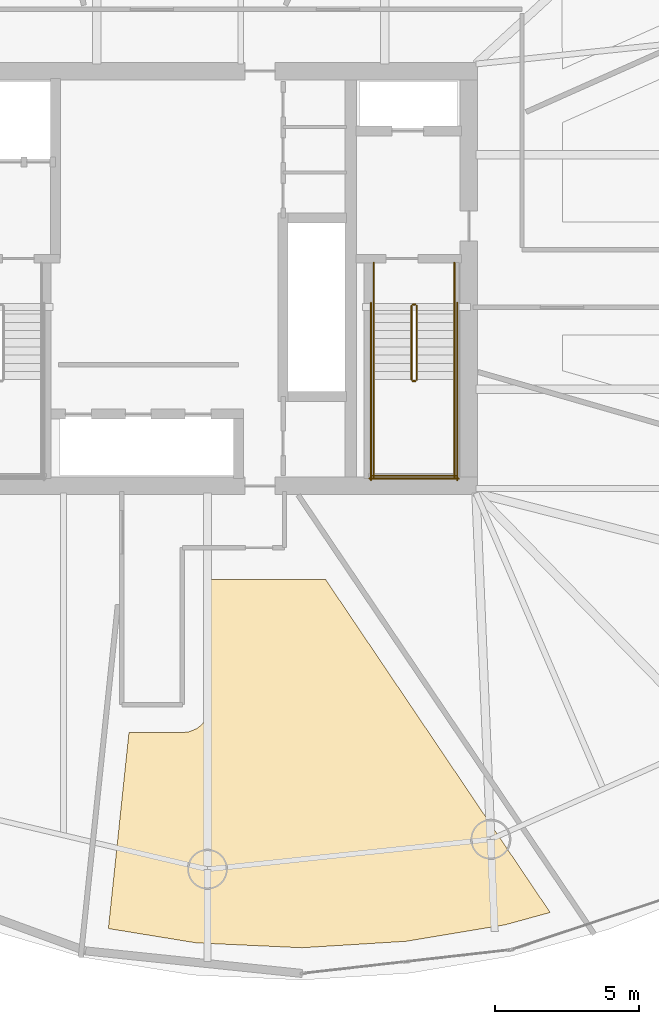
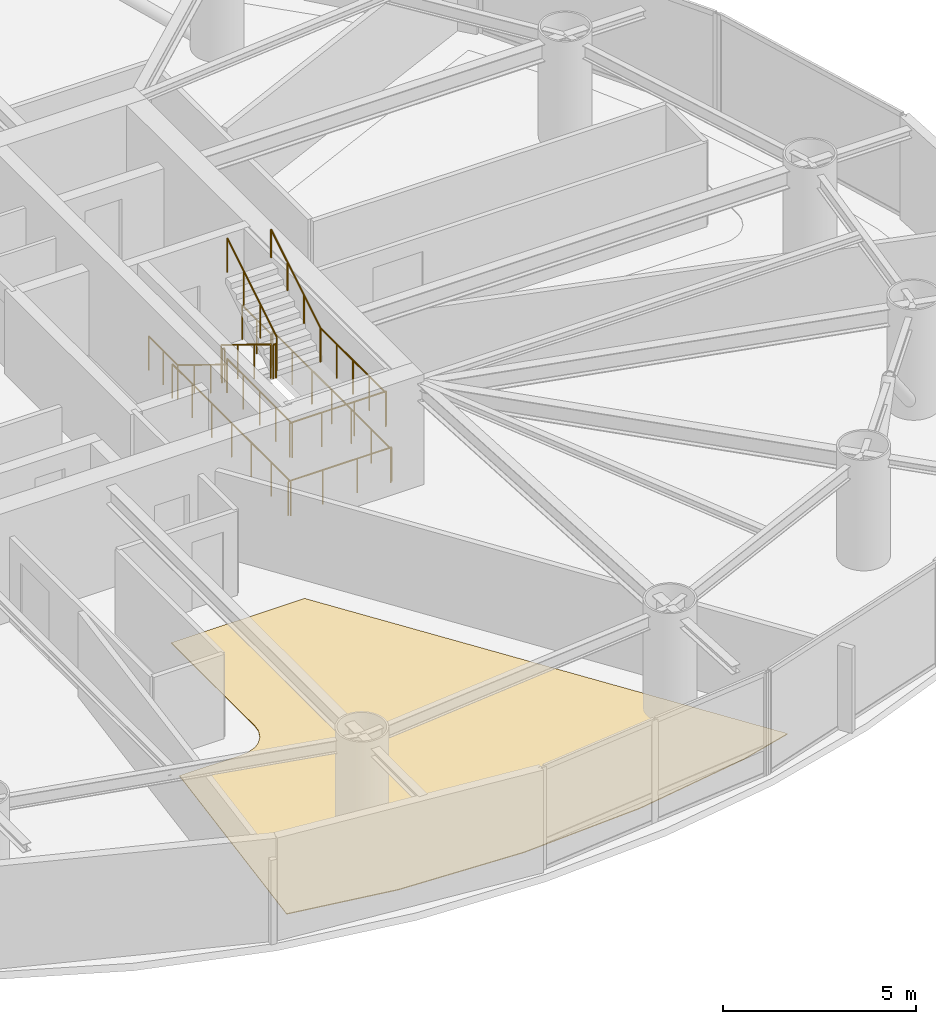
# One storey, part 21 of 22: 14 railings, 1 covering.
"""IFC4 building model written with IfcOpenShell, lengths in metres."""

from ifc_helpers import new_model, si_unit, direction, frame, origin, origin_2d, place, context, subcontext, project, spatial, polyline, circle, outline, extrude, material, layer, layer_set, type_object, element, save


model = new_model("IFC4")

# Units and contexts
model_context = context("Model", 3, precision=1e-05, world=origin(), true_north=direction((0.0, 1.0)))
body_context = subcontext(model_context, "Body", "Model", "MODEL_VIEW")
ifc_project = project(units=[si_unit("LENGTHUNIT", "METRE"), si_unit("AREAUNIT", "SQUARE_METRE"), si_unit("VOLUMEUNIT", "CUBIC_METRE"), si_unit("PLANEANGLEUNIT", "RADIAN"), si_unit("MASSUNIT", "GRAM", prefix="KILO")], contexts=[model_context])

# Site, building, storey
site_placement = place(None, origin())
site = spatial("IfcSite", under=ifc_project, at=site_placement, CompositionType="ELEMENT")
building_placement = place(site_placement, origin())
building = spatial("IfcBuilding", under=site, at=building_placement, Name="Bramvorn Convention Spire", CompositionType="ELEMENT")
storey_placement = place(building_placement, frame((0.0, 0.0, 141.300048828125)))
storey = spatial("IfcBuildingStorey", under=building, at=storey_placement, Name="L35", CompositionType="ELEMENT", Elevation=141.300048828125)

# Covering
ifc_material_1 = material(Name="Honed Dolomitic Limestone Terrazzo Flooring", Category="masonry")
ifc_layer = layer(ifc_material_1, 0.02490234375)
ifc_layer_set = layer_set([ifc_layer], Name="Honed Dolomitic Limestone Terrazzo Flooring - FLR-TERRAZZO-25")
covering_type = type_object("IfcCoveringType", Name="FLR-TERRAZZO-25", PredefinedType="FLOORING", material=ifc_layer_set)
covering_placement = place(storey_placement, origin())
element("IfcCovering", 1, at=covering_placement, inside=storey, type_object=covering_type, Name="L35 Executive Strategy Suite 7 raised floor finish", PredefinedType="FLOORING", context=body_context, shape_type="SweptSolid", body=[
    extrude(outline(polyline([(39.539794921875, 2.9248046875), (43.210205078125, 2.756103515625), (46.81494140625, 2.97998046875), (50.268798828125, 3.555419921875), (51.82568359375, 3.982421875), (44.023193359375, 15.550048828125), (40.02001953125, 15.550048828125), (40.02001953125, 11.199951171875), (39.989501953125, 10.95849609375), (39.87890625, 10.6962890625), (39.705810546875, 10.4853515625), (39.543701171875, 10.364990234375), (39.29150390625, 10.260498046875), (39.050048828125, 10.22998046875), (37.197265625, 10.22998046875), (36.481689453125, 3.42333984375), (39.539794921875, 2.9248046875)])), origin(), (0.0, 0.0, 1.0), 0.02490234375),
])

# Railings
ifc_material_2 = material(Name="Painted Steel Balustrade & Guardrail", Category="steel")
railing_type_1 = type_object("IfcRailingType", Name="RL-STAIR-GUARD-1100", PredefinedType="GUARDRAIL", material=ifc_material_2)
railing_1_placement = place(storey_placement, frame((47.010009765625, 25.050048828125, 0.175048828125)))
element("IfcRailing", 2, at=railing_1_placement, inside=storey, type_object=railing_type_1, Name="L35 ST2 stair guard 1", PredefinedType="GUARDRAIL", context=body_context, shape_type="SweptSolid", body=[
    extrude(circle(Radius=0.02392578125, at=origin_2d()), frame((0.0, 0.0, 1.076171875), z_axis=(0.0, -0.852173129349, 0.523259933127), x_axis=(1.0, 0.0, 0.0)), (0.0, 0.0, 1.0), 3.009765625),
    extrude(circle(Radius=0.02099609375, at=origin_2d()), origin(), (0.0, 0.0, 1.0), 1.052001953125),
    extrude(circle(Radius=0.02099609375, at=origin_2d()), frame((0.0, -0.85498046875, 0.52490234375)), (0.0, 0.0, 1.0), 1.052001953125),
    extrude(circle(Radius=0.02099609375, at=origin_2d()), frame((0.0, -1.7099609375, 1.050048828125)), (0.0, 0.0, 1.0), 1.052001953125),
    extrude(circle(Radius=0.02099609375, at=origin_2d()), frame((0.0, -2.56494140625, 1.574951171875)), (0.0, 0.0, 1.0), 1.052001953125),
])
railing_2_placement = place(storey_placement, frame((47.06005859375, 22.43505859375, 1.75)))
element("IfcRailing", 3, at=railing_2_placement, inside=storey, type_object=railing_type_1, Name="L35 ST2 stair guard 2", PredefinedType="GUARDRAIL", context=body_context, shape_type="SweptSolid", body=[
    extrude(circle(Radius=0.02392578125, at=origin_2d()), frame((0.0, 0.0, 1.076171875), z_axis=(1.0, 0.0, 0.0), x_axis=(0.0, 1.0, 0.0)), (0.0, 0.0, 1.0), 0.079833984375),
    extrude(circle(Radius=0.02099609375, at=origin_2d()), origin(), (0.0, 0.0, 1.0), 1.052001953125),
    extrude(circle(Radius=0.02099609375, at=origin_2d()), frame((0.079833984375, 0.0, 0.0)), (0.0, 0.0, 1.0), 1.052001953125),
])
for number, where, name in (
    (4, (45.699951171875, 22.485107421875, 1.75), "L35 ST2 stair guard 3"),
    (5, (48.5, 22.485107421875, 1.75), "L35 ST2 stair guard 4"),
):
    element("IfcRailing", number, at=place(storey_placement, frame(where)), inside=storey, type_object=railing_type_1, Name=name, PredefinedType="GUARDRAIL", context=body_context, shape_type="SweptSolid", body=[
        extrude(circle(Radius=0.02392578125, at=origin_2d()), frame((0.0, 0.0, 1.076171875), z_axis=(0.0, -1.0, 0.0), x_axis=(1.0, 0.0, 0.0)), (0.0, 0.0, 1.0), 3.385009765625),
        extrude(circle(Radius=0.02099609375, at=origin_2d()), origin(), (0.0, 0.0, 1.0), 1.052001953125),
        extrude(circle(Radius=0.02099609375, at=origin_2d()), frame((0.0, -0.84619140625, 0.0)), (0.0, 0.0, 1.0), 1.052001953125),
        extrude(circle(Radius=0.02099609375, at=origin_2d()), frame((0.0, -1.6923828125, 0.0)), (0.0, 0.0, 1.0), 1.052001953125),
        extrude(circle(Radius=0.02099609375, at=origin_2d()), frame((0.0, -2.538818359375, 0.0)), (0.0, 0.0, 1.0), 1.052001953125),
        extrude(circle(Radius=0.02099609375, at=origin_2d()), frame((0.0, -3.385009765625, 0.0)), (0.0, 0.0, 1.0), 1.052001953125),
    ])
railing_3_placement = place(storey_placement, frame((45.64990234375, 19.14990234375, 1.75)))
element("IfcRailing", 6, at=railing_3_placement, inside=storey, type_object=railing_type_1, Name="L35 ST2 stair guard 5", PredefinedType="GUARDRAIL", context=body_context, shape_type="SweptSolid", body=[
    extrude(circle(Radius=0.02392578125, at=origin_2d()), frame((0.0, 0.0, 1.076171875), z_axis=(1.0, 0.0, 0.0), x_axis=(0.0, 1.0, 0.0)), (0.0, 0.0, 1.0), 2.900146484375),
    extrude(circle(Radius=0.02099609375, at=origin_2d()), origin(), (0.0, 0.0, 1.0), 1.052001953125),
    extrude(circle(Radius=0.02099609375, at=origin_2d()), frame((0.966796875, 0.0, 0.0)), (0.0, 0.0, 1.0), 1.052001953125),
    extrude(circle(Radius=0.02099609375, at=origin_2d()), frame((1.933349609375, 0.0, 0.0)), (0.0, 0.0, 1.0), 1.052001953125),
    extrude(circle(Radius=0.02099609375, at=origin_2d()), frame((2.900146484375, 0.0, 0.0)), (0.0, 0.0, 1.0), 1.052001953125),
])
railing_4_placement = place(storey_placement, frame((47.18994140625, 22.485107421875, 1.925048828125)))
element("IfcRailing", 7, at=railing_4_placement, inside=storey, type_object=railing_type_1, Name="L35 ST2 stair guard 6", PredefinedType="GUARDRAIL", context=body_context, shape_type="SweptSolid", body=[
    extrude(circle(Radius=0.02392578125, at=origin_2d()), frame((0.0, 0.0, 1.076171875), z_axis=(0.0, 0.852173129349, 0.523259933127), x_axis=(-1.0, 0.0, 0.0)), (0.0, 0.0, 1.0), 3.009765625),
    extrude(circle(Radius=0.02099609375, at=origin_2d()), origin(), (0.0, 0.0, 1.0), 1.052001953125),
    extrude(circle(Radius=0.02099609375, at=origin_2d()), frame((0.0, 0.85498046875, 0.52490234375)), (0.0, 0.0, 1.0), 1.052001953125),
    extrude(circle(Radius=0.02099609375, at=origin_2d()), frame((0.0, 1.7099609375, 1.050048828125)), (0.0, 0.0, 1.0), 1.052001953125),
    extrude(circle(Radius=0.02099609375, at=origin_2d()), frame((0.0, 2.56494140625, 1.574951171875)), (0.0, 0.0, 1.0), 1.052001953125),
])
railing_5_placement = place(storey_placement, frame((47.06005859375, 25.10009765625, 0.0)))
element("IfcRailing", 8, at=railing_5_placement, inside=storey, type_object=railing_type_1, Name="L35 ST2 stair guard 7", PredefinedType="GUARDRAIL", context=body_context, shape_type="SweptSolid", body=[
    extrude(circle(Radius=0.02392578125, at=origin_2d()), frame((0.0, 0.0, 1.076171875), z_axis=(1.0, 0.0, 0.0), x_axis=(0.0, 1.0, 0.0)), (0.0, 0.0, 1.0), 0.079833984375),
    extrude(circle(Radius=0.02099609375, at=origin_2d()), origin(), (0.0, 0.0, 1.0), 1.052001953125),
    extrude(circle(Radius=0.02099609375, at=origin_2d()), frame((0.079833984375, 0.0, 0.0)), (0.0, 0.0, 1.0), 1.052001953125),
])
for number, where, name in (
    (9, (45.699951171875, 26.550048828125, 0.0), "L35 ST2 stair guard 8"),
    (10, (48.5, 26.550048828125, 0.0), "L35 ST2 stair guard 9"),
):
    element("IfcRailing", number, at=place(storey_placement, frame(where)), inside=storey, type_object=railing_type_1, Name=name, PredefinedType="GUARDRAIL", context=body_context, shape_type="SweptSolid", body=[
        extrude(circle(Radius=0.02392578125, at=origin_2d()), frame((0.0, 0.0, 1.076171875), z_axis=(0.0, -1.0, 0.0), x_axis=(1.0, 0.0, 0.0)), (0.0, 0.0, 1.0), 1.5),
        extrude(circle(Radius=0.02099609375, at=origin_2d()), origin(), (0.0, 0.0, 1.0), 1.052001953125),
        extrude(circle(Radius=0.02099609375, at=origin_2d()), frame((0.0, -0.75, 0.0)), (0.0, 0.0, 1.0), 1.052001953125),
        extrude(circle(Radius=0.02099609375, at=origin_2d()), frame((0.0, -1.5, 0.0)), (0.0, 0.0, 1.0), 1.052001953125),
    ])
for number, where, name in (
    (11, (45.60009765625, 25.14990234375, 0.0), "L35 ST2 stair guard 10"),
    (12, (48.60009765625, 25.14990234375, 0.0), "L35 ST2 stair guard 11"),
):
    element("IfcRailing", number, at=place(storey_placement, frame(where)), inside=storey, type_object=railing_type_1, Name=name, PredefinedType="GUARDRAIL", context=body_context, shape_type="SweptSolid", body=[
        extrude(circle(Radius=0.02392578125, at=origin_2d()), frame((0.0, 0.0, 1.076171875), z_axis=(0.0, -1.0, 0.0), x_axis=(1.0, 0.0, 0.0)), (0.0, 0.0, 1.0), 6.14990234375),
        extrude(circle(Radius=0.02099609375, at=origin_2d()), origin(), (0.0, 0.0, 1.0), 1.052001953125),
        extrude(circle(Radius=0.02099609375, at=origin_2d()), frame((0.0, -1.02490234375, 0.0)), (0.0, 0.0, 1.0), 1.052001953125),
        extrude(circle(Radius=0.02099609375, at=origin_2d()), frame((0.0, -2.050048828125, 0.0)), (0.0, 0.0, 1.0), 1.052001953125),
        extrude(circle(Radius=0.02099609375, at=origin_2d()), frame((0.0, -3.074951171875, 0.0)), (0.0, 0.0, 1.0), 1.052001953125),
        extrude(circle(Radius=0.02099609375, at=origin_2d()), frame((0.0, -4.099853515625, 0.0)), (0.0, 0.0, 1.0), 1.052001953125),
        extrude(circle(Radius=0.02099609375, at=origin_2d()), frame((0.0, -5.125, 0.0)), (0.0, 0.0, 1.0), 1.052001953125),
        extrude(circle(Radius=0.02099609375, at=origin_2d()), frame((0.0, -6.14990234375, 0.0)), (0.0, 0.0, 1.0), 1.052001953125),
    ])
railing_6_placement = place(storey_placement, frame((45.550048828125, 19.050048828125, 0.0)))
element("IfcRailing", 13, at=railing_6_placement, inside=storey, type_object=railing_type_1, Name="L35 ST2 stair guard 12", PredefinedType="GUARDRAIL", context=body_context, shape_type="SweptSolid", body=[
    extrude(circle(Radius=0.02392578125, at=origin_2d()), frame((0.0, 0.0, 1.076171875), z_axis=(1.0, 0.0, 0.0), x_axis=(0.0, 1.0, 0.0)), (0.0, 0.0, 1.0), 3.099853515625),
    extrude(circle(Radius=0.02099609375, at=origin_2d()), origin(), (0.0, 0.0, 1.0), 1.052001953125),
    extrude(circle(Radius=0.02099609375, at=origin_2d()), frame((1.033203125, 0.0, 0.0)), (0.0, 0.0, 1.0), 1.052001953125),
    extrude(circle(Radius=0.02099609375, at=origin_2d()), frame((2.066650390625, 0.0, 0.0)), (0.0, 0.0, 1.0), 1.052001953125),
    extrude(circle(Radius=0.02099609375, at=origin_2d()), frame((3.099853515625, 0.0, 0.0)), (0.0, 0.0, 1.0), 1.052001953125),
])
ifc_material_3 = material(Name="Brushed Bronze Tubular Handrail", Category="aluminium")
railing_type_2 = type_object("IfcRailingType", Name="RL-STAIR-HR-920", PredefinedType="HANDRAIL", material=ifc_material_3)
railing_7_placement = place(storey_placement, frame((45.699951171875, 25.050048828125, 0.175048828125)))
element("IfcRailing", 14, at=railing_7_placement, inside=storey, type_object=railing_type_2, Name="L35 ST2 stair handrail 1", PredefinedType="HANDRAIL", context=body_context, shape_type="SweptSolid", body=[
    extrude(circle(Radius=0.02392578125, at=origin_2d()), frame((0.0, 0.0, 0.89599609375), z_axis=(0.0, -0.852173129349, 0.523259933127), x_axis=(1.0, 0.0, 0.0)), (0.0, 0.0, 1.0), 3.009765625),
    extrude(circle(Radius=0.02099609375, at=origin_2d()), origin(), (0.0, 0.0, 1.0), 0.871826171875),
    extrude(circle(Radius=0.02099609375, at=origin_2d()), frame((0.0, -0.85498046875, 0.52490234375)), (0.0, 0.0, 1.0), 0.871826171875),
    extrude(circle(Radius=0.02099609375, at=origin_2d()), frame((0.0, -1.7099609375, 1.050048828125)), (0.0, 0.0, 1.0), 0.871826171875),
    extrude(circle(Radius=0.02099609375, at=origin_2d()), frame((0.0, -2.56494140625, 1.574951171875)), (0.0, 0.0, 1.0), 0.871826171875),
])
railing_8_placement = place(storey_placement, frame((48.5, 22.485107421875, 1.925048828125)))
element("IfcRailing", 15, at=railing_8_placement, inside=storey, type_object=railing_type_2, Name="L35 ST2 stair handrail 2", PredefinedType="HANDRAIL", context=body_context, shape_type="SweptSolid", body=[
    extrude(circle(Radius=0.02392578125, at=origin_2d()), frame((0.0, 0.0, 0.89599609375), z_axis=(0.0, 0.852173129349, 0.523259933127), x_axis=(-1.0, 0.0, 0.0)), (0.0, 0.0, 1.0), 3.009765625),
    extrude(circle(Radius=0.02099609375, at=origin_2d()), origin(), (0.0, 0.0, 1.0), 0.871826171875),
    extrude(circle(Radius=0.02099609375, at=origin_2d()), frame((0.0, 0.85498046875, 0.52490234375)), (0.0, 0.0, 1.0), 0.871826171875),
    extrude(circle(Radius=0.02099609375, at=origin_2d()), frame((0.0, 1.7099609375, 1.050048828125)), (0.0, 0.0, 1.0), 0.871826171875),
    extrude(circle(Radius=0.02099609375, at=origin_2d()), frame((0.0, 2.56494140625, 1.574951171875)), (0.0, 0.0, 1.0), 0.871826171875),
])

save(model, "model.ifc")
